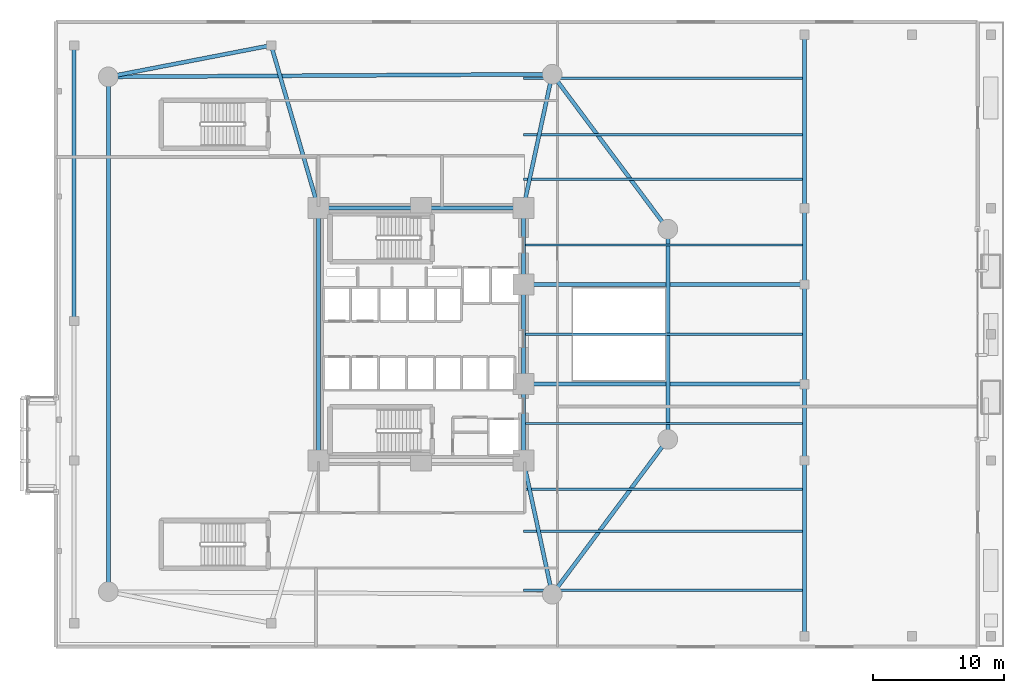
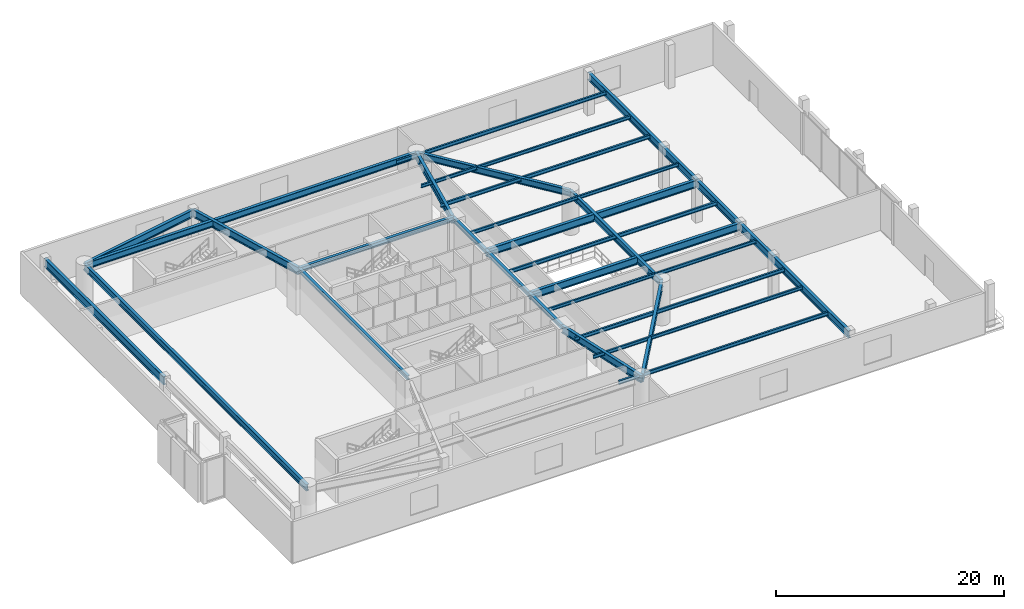
# One storey, part 5 of 16: 29 beams.
"""IFC4 building model written with IfcOpenShell, lengths in metres."""

from ifc_helpers import new_model, si_unit, direction, frame, origin, origin_2d, place, context, subcontext, project, spatial, i_section, extrude, material, material_profile, profile_set, type_object, element, save


model = new_model("IFC4")

# Units and contexts
model_context = context("Model", 3, precision=1e-05, world=origin(), true_north=direction((0.0, 1.0)))
body_context = subcontext(model_context, "Body", "Model", "MODEL_VIEW")
ifc_project = project(units=[si_unit("LENGTHUNIT", "METRE"), si_unit("AREAUNIT", "SQUARE_METRE"), si_unit("VOLUMEUNIT", "CUBIC_METRE"), si_unit("PLANEANGLEUNIT", "RADIAN"), si_unit("MASSUNIT", "GRAM", prefix="KILO")], contexts=[model_context])

# Site, building, storey
site_placement = place(None, origin())
site = spatial("IfcSite", under=ifc_project, at=site_placement, CompositionType="ELEMENT")
building_placement = place(site_placement, origin())
building = spatial("IfcBuilding", under=site, at=building_placement, Name="An Khanh Terracotta Commons", CompositionType="ELEMENT")
storey_placement = place(building_placement, frame((0.0, 0.0, 5.39990234375)))
storey = spatial("IfcBuildingStorey", under=building, at=storey_placement, Name="L02", CompositionType="ELEMENT", Elevation=5.39990234375)

# Beams
ifc_material_1 = material(Name="Steel S355J2", Category="steel")
ifc_material_profile_1 = material_profile(ifc_material_1, i_section(OverallWidth=0.300048828125, OverallDepth=0.449951171875, WebThickness=0.013916015625, FlangeThickness=0.02587890625, FilletRadius=0.027099609375, at=origin_2d()), Name="HEB450")
ifc_profile_set_1 = profile_set([ifc_material_profile_1], Name="Steel S355J2")
beam_type_1 = type_object("IfcBeamType", Name="BM-HEB450", PredefinedType="BEAM", material=ifc_profile_set_1)
beam_1_placement = place(storey_placement, frame((37.199951171875, 14.39990234375, 4.205078125), z_axis=(0.0, 1.0, 0.0), x_axis=(-1.0, 0.0, 0.0)))
element("IfcBeam", 1, at=beam_1_placement, inside=storey, type_object=beam_type_1, Name="L02 Core East Coupling Girder 1", PredefinedType="BEAM", context=body_context, shape_type="SweptSolid", body=[
    extrude(i_section(OverallWidth=0.300048828125, OverallDepth=0.449951171875, WebThickness=0.013916015625, FlangeThickness=0.02587890625, FilletRadius=0.027099609375, at=origin_2d()), origin(), (0.0, 0.0, 1.0), 5.800048828125),
])
beam_2_placement = place(storey_placement, frame((37.199951171875, 20.199951171875, 4.205078125), z_axis=(0.0, 1.0, 0.0), x_axis=(-1.0, 0.0, 0.0)))
element("IfcBeam", 2, at=beam_2_placement, inside=storey, type_object=beam_type_1, Name="L02 Core East Coupling Girder 2", PredefinedType="BEAM", context=body_context, shape_type="SweptSolid", body=[
    extrude(i_section(OverallWidth=0.300048828125, OverallDepth=0.449951171875, WebThickness=0.013916015625, FlangeThickness=0.02587890625, FilletRadius=0.027099609375, at=origin_2d()), origin(), (0.0, 0.0, 1.0), 7.60009765625),
])
beam_3_placement = place(storey_placement, frame((37.199951171875, 27.800048828125, 4.205078125), z_axis=(0.0, 1.0, 0.0), x_axis=(-1.0, 0.0, 0.0)))
element("IfcBeam", 3, at=beam_3_placement, inside=storey, type_object=beam_type_1, Name="L02 Core East Coupling Girder 3", PredefinedType="BEAM", context=body_context, shape_type="SweptSolid", body=[
    extrude(i_section(OverallWidth=0.300048828125, OverallDepth=0.449951171875, WebThickness=0.013916015625, FlangeThickness=0.02587890625, FilletRadius=0.027099609375, at=origin_2d()), origin(), (0.0, 0.0, 1.0), 5.800048828125),
])
beam_4_placement = place(storey_placement, frame((21.60009765625, 14.39990234375, 4.205078125), z_axis=(0.0, 1.0, 0.0), x_axis=(-1.0, 0.0, 0.0)))
element("IfcBeam", 4, at=beam_4_placement, inside=storey, type_object=beam_type_1, Name="L02 Core West Coupling Girder", PredefinedType="BEAM", context=body_context, shape_type="SweptSolid", body=[
    extrude(i_section(OverallWidth=0.300048828125, OverallDepth=0.449951171875, WebThickness=0.013916015625, FlangeThickness=0.02587890625, FilletRadius=0.027099609375, at=origin_2d()), origin(), (0.0, 0.0, 1.0), 19.2001953125),
])
ifc_material_profile_2 = material_profile(ifc_material_1, i_section(OverallWidth=0.300048828125, OverallDepth=0.5, WebThickness=0.014404296875, FlangeThickness=0.028076171875, FilletRadius=0.027099609375, at=origin_2d()), Name="HEB500")
ifc_profile_set_2 = profile_set([ifc_material_profile_2], Name="Steel S355J2")
beam_type_2 = type_object("IfcBeamType", Name="BM-HEB500", PredefinedType="BEAM", material=ifc_profile_set_2)
beam_5_placement = place(storey_placement, frame((21.60009765625, 33.60009765625, 4.18017578125), z_axis=(1.0, 0.0, 0.0), x_axis=(0.0, 1.0, 0.0)))
element("IfcBeam", 5, at=beam_5_placement, inside=storey, type_object=beam_type_2, Name="L02 Core North Coupling Girder", PredefinedType="BEAM", context=body_context, shape_type="SweptSolid", body=[
    extrude(i_section(OverallWidth=0.300048828125, OverallDepth=0.5, WebThickness=0.014404296875, FlangeThickness=0.028076171875, FilletRadius=0.027099609375, at=origin_2d()), origin(), (0.0, 0.0, 1.0), 15.599853515625),
])
ifc_material_profile_3 = material_profile(ifc_material_1, i_section(OverallWidth=0.300048828125, OverallDepth=0.699951171875, WebThickness=0.01708984375, FlangeThickness=0.031982421875, FilletRadius=0.027099609375, at=origin_2d()), Name="HEB700")
ifc_profile_set_3 = profile_set([ifc_material_profile_3], Name="Steel S355J2")
beam_type_3 = type_object("IfcBeamType", Name="BM-HEB700", PredefinedType="BEAM", material=ifc_profile_set_3)
beam_6_placement = place(storey_placement, frame((39.39990234375, 4.199951171875, 4.080078125), z_axis=(0.59782442166, 0.801627070942, 0.0), x_axis=(-0.801627070942, 0.59782442166, 0.0)))
element("IfcBeam", 6, at=beam_6_placement, inside=storey, type_object=beam_type_3, Name="L02 Podium Mega-Ring Girder 2", PredefinedType="BEAM", context=body_context, shape_type="SweptSolid", body=[
    extrude(i_section(OverallWidth=0.300048828125, OverallDepth=0.699951171875, WebThickness=0.01708984375, FlangeThickness=0.031982421875, FilletRadius=0.027099609375, at=origin_2d()), origin(), (0.0, 0.0, 1.0), 14.72021484375),
])
beam_7_placement = place(storey_placement, frame((48.199951171875, 16.0, 4.080078125), z_axis=(0.0, 1.0, 0.0), x_axis=(-1.0, 0.0, 0.0)))
element("IfcBeam", 7, at=beam_7_placement, inside=storey, type_object=beam_type_3, Name="L02 Podium Mega-Ring Girder 3", PredefinedType="BEAM", context=body_context, shape_type="SweptSolid", body=[
    extrude(i_section(OverallWidth=0.300048828125, OverallDepth=0.699951171875, WebThickness=0.01708984375, FlangeThickness=0.031982421875, FilletRadius=0.027099609375, at=origin_2d()), origin(), (0.0, 0.0, 1.0), 16.0),
])
beam_8_placement = place(storey_placement, frame((48.199951171875, 32.0, 4.080078125), z_axis=(-0.59782442166, 0.801627070942, 0.0), x_axis=(-0.801627070942, -0.59782442166, 0.0)))
element("IfcBeam", 8, at=beam_8_placement, inside=storey, type_object=beam_type_3, Name="L02 Podium Mega-Ring Girder 4", PredefinedType="BEAM", context=body_context, shape_type="SweptSolid", body=[
    extrude(i_section(OverallWidth=0.300048828125, OverallDepth=0.699951171875, WebThickness=0.01708984375, FlangeThickness=0.031982421875, FilletRadius=0.027099609375, at=origin_2d()), origin(), (0.0, 0.0, 1.0), 14.72021484375),
])
beam_9_placement = place(storey_placement, frame((39.39990234375, 43.800048828125, 4.080078125), z_axis=(-0.999982502414, -0.005915645817, 0.0), x_axis=(0.005915645817, -0.999982502414, 0.0)))
element("IfcBeam", 9, at=beam_9_placement, inside=storey, type_object=beam_type_3, Name="L02 Podium Mega-Ring Girder 5", PredefinedType="BEAM", context=body_context, shape_type="SweptSolid", body=[
    extrude(i_section(OverallWidth=0.300048828125, OverallDepth=0.699951171875, WebThickness=0.01708984375, FlangeThickness=0.031982421875, FilletRadius=0.027099609375, at=origin_2d()), origin(), (0.0, 0.0, 1.0), 33.80029296875),
])
beam_10_placement = place(storey_placement, frame((5.60009765625, 43.60009765625, 4.080078125), z_axis=(0.0, -1.0, 0.0), x_axis=(1.0, 0.0, 0.0)))
element("IfcBeam", 10, at=beam_10_placement, inside=storey, type_object=beam_type_3, Name="L02 Podium Mega-Ring Girder 6", PredefinedType="BEAM", context=body_context, shape_type="SweptSolid", body=[
    extrude(i_section(OverallWidth=0.300048828125, OverallDepth=0.699951171875, WebThickness=0.01708984375, FlangeThickness=0.031982421875, FilletRadius=0.027099609375, at=origin_2d()), origin(), (0.0, 0.0, 1.0), 39.2001953125),
])
ifc_material_profile_4 = material_profile(ifc_material_1, i_section(OverallWidth=0.300048828125, OverallDepth=0.800048828125, WebThickness=0.017578125, FlangeThickness=0.032958984375, FilletRadius=0.030029296875, at=origin_2d()), Name="HEB800")
ifc_profile_set_4 = profile_set([ifc_material_profile_4], Name="Steel S355J2")
beam_type_4 = type_object("IfcBeamType", Name="BM-HEB800", PredefinedType="BEAM", material=ifc_profile_set_4)
for number, where, z_axis, x_axis, name in (
    (11, (39.39990234375, 4.199951171875, 4.030029296875), (-0.210834365214, 0.977521800496, 0.0), (-0.977521800496, -0.210834365214, 0.0), "L02 Primary Podium Girder 6"),
    (12, (39.39990234375, 43.800048828125, 4.030029296875), (-0.210834365214, -0.977521800496, 0.0), (0.977521800496, -0.210834365214, 0.0), "L02 Primary Podium Girder 7"),
):
    element("IfcBeam", number, at=place(storey_placement, frame(where, z_axis=z_axis, x_axis=x_axis)), inside=storey, type_object=beam_type_4, Name=name, PredefinedType="BEAM", context=body_context, shape_type="SweptSolid", body=[
        extrude(i_section(OverallWidth=0.300048828125, OverallDepth=0.800048828125, WebThickness=0.017578125, FlangeThickness=0.032958984375, FilletRadius=0.030029296875, at=origin_2d()), origin(), (0.0, 0.0, 1.0), 10.4345703125),
    ])
beam_11_placement = place(storey_placement, frame((5.60009765625, 43.60009765625, 4.030029296875), z_axis=(0.981781013874, 0.190015896168, 0.0), x_axis=(-0.190015896168, 0.981781013874, 0.0)))
element("IfcBeam", 13, at=beam_11_placement, inside=storey, type_object=beam_type_4, Name="L02 Primary Podium Girder 8", PredefinedType="BEAM", context=body_context, shape_type="SweptSolid", body=[
    extrude(i_section(OverallWidth=0.300048828125, OverallDepth=0.800048828125, WebThickness=0.017578125, FlangeThickness=0.032958984375, FilletRadius=0.030029296875, at=origin_2d()), origin(), (0.0, 0.0, 1.0), 12.630126953125),
])
beam_12_placement = place(storey_placement, frame((18.0, 46.0, 4.030029296875), z_axis=(0.278819195264, -0.960343613689, 0.0), x_axis=(0.960343613689, 0.278819195264, 0.0)))
element("IfcBeam", 14, at=beam_12_placement, inside=storey, type_object=beam_type_4, Name="L02 Primary Podium Girder 9", PredefinedType="BEAM", context=body_context, shape_type="SweptSolid", body=[
    extrude(i_section(OverallWidth=0.300048828125, OverallDepth=0.800048828125, WebThickness=0.017578125, FlangeThickness=0.032958984375, FilletRadius=0.030029296875, at=origin_2d()), origin(), (0.0, 0.0, 1.0), 12.911865234375),
])
beam_13_placement = place(storey_placement, frame((58.60009765625, 20.199951171875, 4.030029296875), z_axis=(0.0, 1.0, 0.0), x_axis=(-1.0, 0.0, 0.0)))
element("IfcBeam", 15, at=beam_13_placement, inside=storey, type_object=beam_type_4, Name="L02 Primary Podium Girder 10", PredefinedType="BEAM", context=body_context, shape_type="SweptSolid", body=[
    extrude(i_section(OverallWidth=0.300048828125, OverallDepth=0.800048828125, WebThickness=0.017578125, FlangeThickness=0.032958984375, FilletRadius=0.030029296875, at=origin_2d()), origin(), (0.0, 0.0, 1.0), 7.60009765625),
])
beam_14_placement = place(storey_placement, frame((58.60009765625, 1.0, 4.030029296875), z_axis=(0.0, 1.0, 0.0), x_axis=(-1.0, 0.0, 0.0)))
element("IfcBeam", 16, at=beam_14_placement, inside=storey, type_object=beam_type_4, Name="L02 Primary Podium Girder 11", PredefinedType="BEAM", context=body_context, shape_type="SweptSolid", body=[
    extrude(i_section(OverallWidth=0.300048828125, OverallDepth=0.800048828125, WebThickness=0.017578125, FlangeThickness=0.032958984375, FilletRadius=0.030029296875, at=origin_2d()), origin(), (0.0, 0.0, 1.0), 19.199951171875),
])
beam_15_placement = place(storey_placement, frame((58.60009765625, 27.800048828125, 4.030029296875), z_axis=(0.0, 1.0, 0.0), x_axis=(-1.0, 0.0, 0.0)))
element("IfcBeam", 17, at=beam_15_placement, inside=storey, type_object=beam_type_4, Name="L02 Primary Podium Girder 12", PredefinedType="BEAM", context=body_context, shape_type="SweptSolid", body=[
    extrude(i_section(OverallWidth=0.300048828125, OverallDepth=0.800048828125, WebThickness=0.017578125, FlangeThickness=0.032958984375, FilletRadius=0.030029296875, at=origin_2d()), origin(), (0.0, 0.0, 1.0), 19.0),
])
for number, where, z_axis, x_axis, name in (
    (18, (37.199951171875, 20.199951171875, 4.030029296875), (1.0, 0.0, 0.0), (0.0, 1.0, 0.0), "L02 Primary Podium Girder 16"),
    (19, (37.199951171875, 27.800048828125, 4.030029296875), (1.0, 0.0, 0.0), (0.0, 1.0, 0.0), "L02 Primary Podium Girder 17"),
):
    element("IfcBeam", number, at=place(storey_placement, frame(where, z_axis=z_axis, x_axis=x_axis)), inside=storey, type_object=beam_type_4, Name=name, PredefinedType="BEAM", context=body_context, shape_type="SweptSolid", body=[
        extrude(i_section(OverallWidth=0.300048828125, OverallDepth=0.800048828125, WebThickness=0.017578125, FlangeThickness=0.032958984375, FilletRadius=0.030029296875, at=origin_2d()), origin(), (0.0, 0.0, 1.0), 21.400146484375),
    ])
ifc_material_2 = material(Name="Steel S460ML", Category="steel")
ifc_material_profile_5 = material_profile(ifc_material_2, i_section(OverallWidth=0.302001953125, OverallDepth=0.909912109375, WebThickness=0.02099609375, FlangeThickness=0.0400390625, FilletRadius=0.030029296875, at=origin_2d()), Name="HEM900")
ifc_profile_set_5 = profile_set([ifc_material_profile_5], Name="Steel S460ML")
beam_type_5 = type_object("IfcBeamType", Name="BM-HEM900", PredefinedType="BEAM", material=ifc_profile_set_5)
beam_16_placement = place(storey_placement, frame((3.0, 25.0, 3.97509765625), z_axis=(0.0, 1.0, 0.0), x_axis=(-1.0, 0.0, 0.0)))
element("IfcBeam", 20, at=beam_16_placement, inside=storey, type_object=beam_type_5, Name="L02 Primary Podium Girder 3", PredefinedType="BEAM", context=body_context, shape_type="SweptSolid", body=[
    extrude(i_section(OverallWidth=0.302001953125, OverallDepth=0.909912109375, WebThickness=0.02099609375, FlangeThickness=0.0400390625, FilletRadius=0.030029296875, at=origin_2d()), origin(), (0.0, 0.0, 1.0), 21.0),
])
ifc_material_profile_6 = material_profile(ifc_material_1, i_section(OverallWidth=0.169921875, OverallDepth=0.360107421875, WebThickness=0.008056640625, FlangeThickness=0.0126953125, FilletRadius=0.01806640625, at=origin_2d()), Name="IPE360")
ifc_profile_set_6 = profile_set([ifc_material_profile_6], Name="Steel S355J2")
beam_type_6 = type_object("IfcBeamType", Name="BM-IPE360", PredefinedType="JOIST", material=ifc_profile_set_6)
for number, where, z_axis, x_axis, name in (
    (21, (37.199951171875, 9.0, 4.25), (1.0, 0.0, 0.0), (0.0, 1.0, 0.0), "L02 East Composite Floor Joist 2"),
    (22, (37.199951171875, 17.199951171875, 4.25), (1.0, 0.0, 0.0), (0.0, 1.0, 0.0), "L02 East Composite Floor Joist 4"),
    (23, (37.199951171875, 30.800048828125, 4.25), (1.0, 0.0, 0.0), (0.0, 1.0, 0.0), "L02 East Composite Floor Joist 6"),
    (24, (37.199951171875, 39.199951171875, 4.25), (1.0, 0.0, 0.0), (0.0, 1.0, 0.0), "L02 East Composite Floor Joist 8"),
):
    element("IfcBeam", number, at=place(storey_placement, frame(where, z_axis=z_axis, x_axis=x_axis)), inside=storey, type_object=beam_type_6, Name=name, PredefinedType="JOIST", context=body_context, shape_type="SweptSolid", body=[
        extrude(i_section(OverallWidth=0.169921875, OverallDepth=0.360107421875, WebThickness=0.008056640625, FlangeThickness=0.0126953125, FilletRadius=0.01806640625, at=origin_2d()), origin(), (0.0, 0.0, 1.0), 21.25),
    ])
ifc_material_profile_7 = material_profile(ifc_material_1, i_section(OverallWidth=0.179931640625, OverallDepth=0.39990234375, WebThickness=0.008544921875, FlangeThickness=0.013427734375, FilletRadius=0.02099609375, at=origin_2d()), Name="IPE400")
ifc_profile_set_7 = profile_set([ifc_material_profile_7], Name="Steel S355J2")
beam_type_7 = type_object("IfcBeamType", Name="BM-IPE400", PredefinedType="JOIST", material=ifc_profile_set_7)
for number, where, z_axis, x_axis, name in (
    (25, (37.199951171875, 4.5, 4.22998046875), (1.0, 0.0, 0.0), (0.0, 1.0, 0.0), "L02 East Composite Floor Joist 1"),
    (26, (37.199951171875, 12.199951171875, 4.22998046875), (1.0, 0.0, 0.0), (0.0, 1.0, 0.0), "L02 East Composite Floor Joist 3"),
    (27, (37.199951171875, 24.0, 4.22998046875), (1.0, 0.0, 0.0), (0.0, 1.0, 0.0), "L02 East Composite Floor Joist 5"),
    (28, (37.199951171875, 35.800048828125, 4.22998046875), (1.0, 0.0, 0.0), (0.0, 1.0, 0.0), "L02 East Composite Floor Joist 7"),
    (29, (37.199951171875, 43.5, 4.22998046875), (1.0, 0.0, 0.0), (0.0, 1.0, 0.0), "L02 East Composite Floor Joist 9"),
):
    element("IfcBeam", number, at=place(storey_placement, frame(where, z_axis=z_axis, x_axis=x_axis)), inside=storey, type_object=beam_type_7, Name=name, PredefinedType="JOIST", context=body_context, shape_type="SweptSolid", body=[
        extrude(i_section(OverallWidth=0.179931640625, OverallDepth=0.39990234375, WebThickness=0.008544921875, FlangeThickness=0.013427734375, FilletRadius=0.02099609375, at=origin_2d()), origin(), (0.0, 0.0, 1.0), 21.25),
    ])

save(model, "model.ifc")
